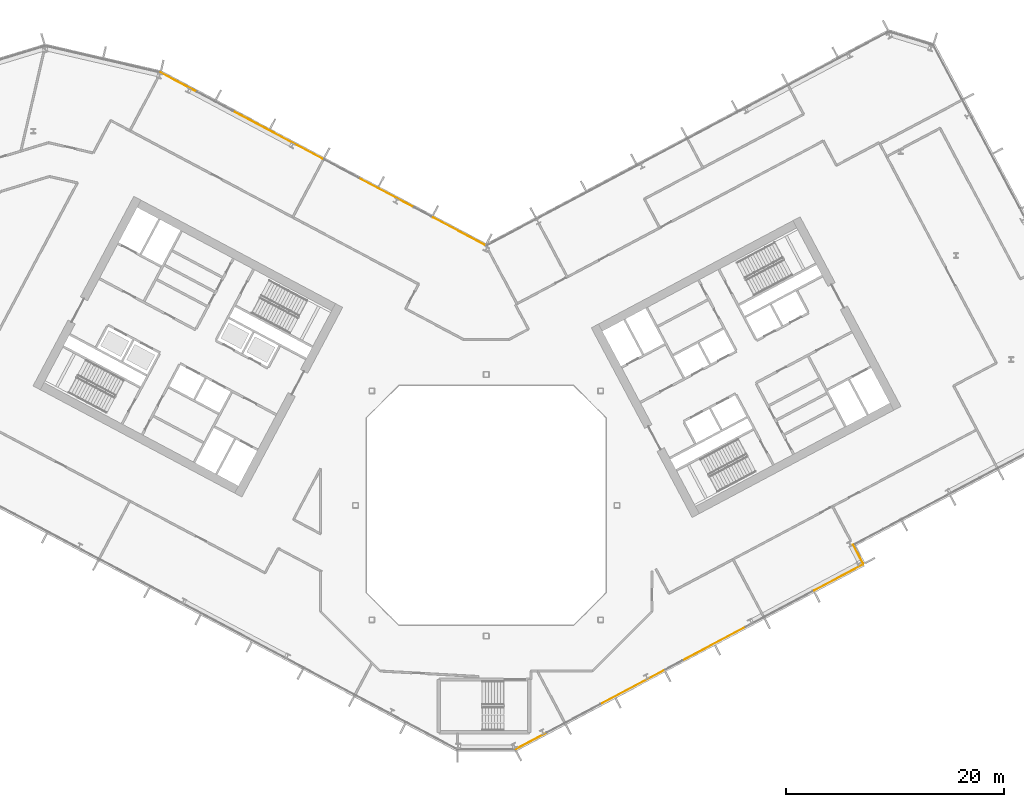
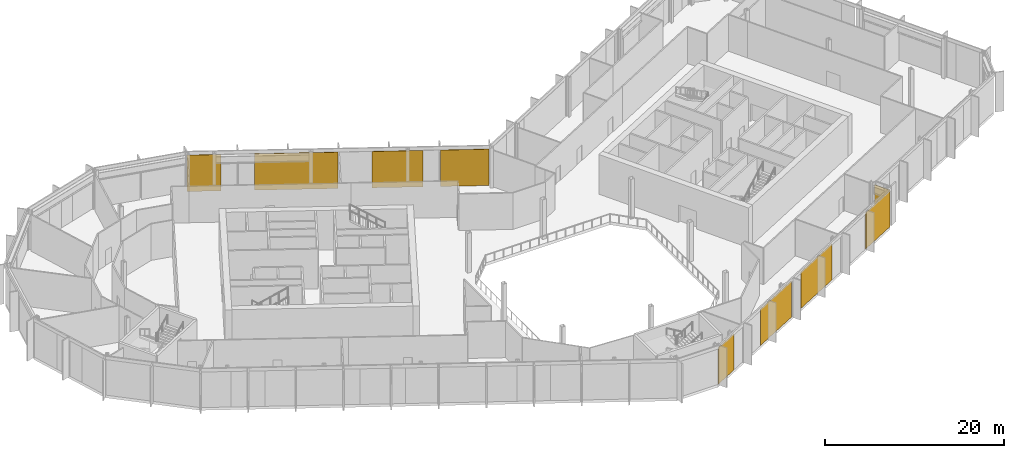
# One storey, part 26 of 31: 9 coverings, 3 elements without a shape of their own.
"""IFC4 building model written with IfcOpenShell, lengths in metres."""

from ifc_helpers import new_model, si_unit, direction, frame, origin, origin_2d, place, context, subcontext, project, spatial, rectangle, extrude, material, layer, layer_set, type_object, element, aggregate, save


model = new_model("IFC4")

# Units and contexts
model_context = context("Model", 3, precision=1e-05, world=origin(), true_north=direction((0.0, 1.0)))
body_context = subcontext(model_context, "Body", "Model", "MODEL_VIEW")
ifc_project = project(units=[si_unit("LENGTHUNIT", "METRE"), si_unit("AREAUNIT", "SQUARE_METRE"), si_unit("VOLUMEUNIT", "CUBIC_METRE"), si_unit("PLANEANGLEUNIT", "RADIAN"), si_unit("MASSUNIT", "GRAM", prefix="KILO")], contexts=[model_context])

# Site, building, storey
site_placement = place(None, origin())
site = spatial("IfcSite", under=ifc_project, at=site_placement, CompositionType="ELEMENT")
building_placement = place(site_placement, origin())
building = spatial("IfcBuilding", under=site, at=building_placement, Name="Cormorant Relay Tower", CompositionType="ELEMENT")
storey_placement = place(building_placement, frame((0.0, 0.0, 178.199951171875)))
storey = spatial("IfcBuildingStorey", under=building, at=storey_placement, Name="L38", CompositionType="ELEMENT", Elevation=178.199951171875)

# Curtain wall, coverings
ifc_material_1 = material(Name="Aluminium 6063-T6 anodised bronze", Category="aluminium")
ifc_layer_1 = layer(ifc_material_1, 0.199951171875)
ifc_layer_set_1 = layer_set([ifc_layer_1], Name="CW1 unitised bronze curtain wall with vertical fins")
curtain_wall_type = type_object("IfcCurtainWallType", Name="CW1 unitised bronze curtain wall with vertical fins", PredefinedType="NOTDEFINED", material=ifc_layer_set_1)
curtain_wall_1_placement = place(storey_placement, origin())
curtain_wall_1 = element("IfcCurtainWall", 1, at=curtain_wall_1_placement, inside=storey, type_object=curtain_wall_type, Name="CW1 curtain wall 2", PredefinedType="NOTDEFINED")
ifc_material_2 = material(Name="Pale bronze anodised aluminium insulated panel", Category="aluminium")
ifc_layer_2 = layer(ifc_material_2, 0.0400390625)
ifc_layer_set_2 = layer_set([ifc_layer_2], Name="CW1 pale bronze insulated panel 40")
covering_type = type_object("IfcCoveringType", Name="CW1 pale bronze insulated panel 40", PredefinedType="CLADDING", material=ifc_layer_set_2)
covering_1_placement = place(storey_placement, frame((4.14453125, -21.60302734375, 0.0), z_axis=(0.0, 0.0, 1.0), x_axis=(0.882947592859, 0.469471562786, 0.0)))
covering_1 = element("IfcCovering", 2, at=covering_1_placement, type_object=covering_type, Name="CW1 panel S00", PredefinedType="CLADDING", context=body_context, shape_type="SweptSolid", body=[
    extrude(rectangle(XDim=3.216552734375, YDim=0.0400390625, at=origin_2d()), origin(), (0.0, 0.0, 1.0), 4.949951171875),
])
covering_2_placement = place(storey_placement, frame((13.37109375, -16.697021484375, 0.0), z_axis=(0.0, 0.0, 1.0), x_axis=(0.882947592859, 0.469471562786, 0.0)))
covering_2 = element("IfcCovering", 3, at=covering_2_placement, type_object=covering_type, Name="CW1 panel S03", PredefinedType="CLADDING", context=body_context, shape_type="SweptSolid", body=[
    extrude(rectangle(XDim=6.5830078125, YDim=0.0400390625, at=origin_2d()), origin(), (0.0, 0.0, 1.0), 4.949951171875),
])
covering_3_placement = place(storey_placement, frame((20.905517578125, -12.69091796875, 0.0), z_axis=(0.0, 0.0, 1.0), x_axis=(0.882947592859, 0.469471562786, 0.0)))
covering_3 = element("IfcCovering", 4, at=covering_3_placement, type_object=covering_type, Name="CW1 panel S05", PredefinedType="CLADDING", context=body_context, shape_type="SweptSolid", body=[
    extrude(rectangle(XDim=6.5830078125, YDim=0.0400390625, at=origin_2d()), origin(), (0.0, 0.0, 1.0), 4.949951171875),
])
covering_4_placement = place(storey_placement, frame((32.343017578125, -6.609619140625, 0.0), z_axis=(0.0, 0.0, 1.0), x_axis=(0.882947592859, 0.469471562786, 0.0)))
covering_4 = element("IfcCovering", 5, at=covering_4_placement, type_object=covering_type, Name="CW1 panel S08", PredefinedType="CLADDING", context=body_context, shape_type="SweptSolid", body=[
    extrude(rectangle(XDim=5.091552734375, YDim=0.0400390625, at=origin_2d()), origin(), (0.0, 0.0, 1.0), 4.949951171875),
])
aggregate(curtain_wall_1, [covering_1, covering_2, covering_3, covering_4])

# Curtain wall, covering
curtain_wall_2_placement = place(storey_placement, origin())
curtain_wall_2 = element("IfcCurtainWall", 6, at=curtain_wall_2_placement, inside=storey, type_object=curtain_wall_type, Name="CW1 curtain wall 3", PredefinedType="NOTDEFINED")
covering_5_placement = place(storey_placement, frame((34.112060546875, -4.47119140625, 0.0), z_axis=(0.0, 0.0, 1.0), x_axis=(-0.469471562786, 0.882947592859, 0.0)))
covering_5 = element("IfcCovering", 7, at=covering_5_placement, type_object=covering_type, Name="CW1 panel S00", PredefinedType="CLADDING", context=body_context, shape_type="SweptSolid", body=[
    extrude(rectangle(XDim=1.925048828125, YDim=0.0400390625, at=origin_2d()), origin(), (0.0, 0.0, 1.0), 4.949951171875),
])
aggregate(curtain_wall_2, [covering_5])

# Curtain wall, coverings
curtain_wall_3_placement = place(storey_placement, origin())
curtain_wall_3 = element("IfcCurtainWall", 8, at=curtain_wall_3_placement, inside=storey, type_object=curtain_wall_type, Name="CW1 curtain wall 9", PredefinedType="NOTDEFINED")
covering_6_placement = place(storey_placement, frame((-2.51318359375, 25.142822265625, 0.0), z_axis=(0.0, 0.0, 1.0), x_axis=(-0.882947592859, 0.469471562786, 0.0)))
covering_6 = element("IfcCovering", 9, at=covering_6_placement, type_object=covering_type, Name="CW1 panel S00", PredefinedType="CLADDING", context=body_context, shape_type="SweptSolid", body=[
    extrude(rectangle(XDim=5.4140625, YDim=0.0400390625, at=origin_2d()), origin(), (0.0, 0.0, 1.0), 4.949951171875),
])
covering_7_placement = place(storey_placement, frame((-9.15380859375, 28.673828125, 0.0), z_axis=(0.0, 0.0, 1.0), x_axis=(-0.882947592859, 0.469471562786, 0.0)))
covering_7 = element("IfcCovering", 10, at=covering_7_placement, type_object=covering_type, Name="CW1 panel S02", PredefinedType="CLADDING", context=body_context, shape_type="SweptSolid", body=[
    extrude(rectangle(XDim=5.72802734375, YDim=0.0400390625, at=origin_2d()), origin(), (0.0, 0.0, 1.0), 4.949951171875),
])
covering_8_placement = place(storey_placement, frame((-19.11181640625, 33.968505859375, 0.0), z_axis=(0.0, 0.0, 1.0), x_axis=(-0.882947592859, 0.469471562786, 0.0)))
covering_8 = element("IfcCovering", 11, at=covering_8_placement, type_object=covering_type, Name="CW1 panel S04", PredefinedType="CLADDING", context=body_context, shape_type="SweptSolid", body=[
    extrude(rectangle(XDim=9.327880859375, YDim=0.0400390625, at=origin_2d()), origin(), (0.0, 0.0, 1.0), 4.949951171875),
])
covering_9_placement = place(storey_placement, frame((-28.20263671875, 38.80224609375, 0.0), z_axis=(0.0, 0.0, 1.0), x_axis=(-0.882947592859, 0.469471562786, 0.0)))
covering_9 = element("IfcCovering", 12, at=covering_9_placement, type_object=covering_type, Name="CW1 panel S07", PredefinedType="CLADDING", context=body_context, shape_type="SweptSolid", body=[
    extrude(rectangle(XDim=3.763916015625, YDim=0.0400390625, at=origin_2d()), origin(), (0.0, 0.0, 1.0), 4.949951171875),
])
aggregate(curtain_wall_3, [covering_6, covering_7, covering_8, covering_9])

save(model, "model.ifc")
